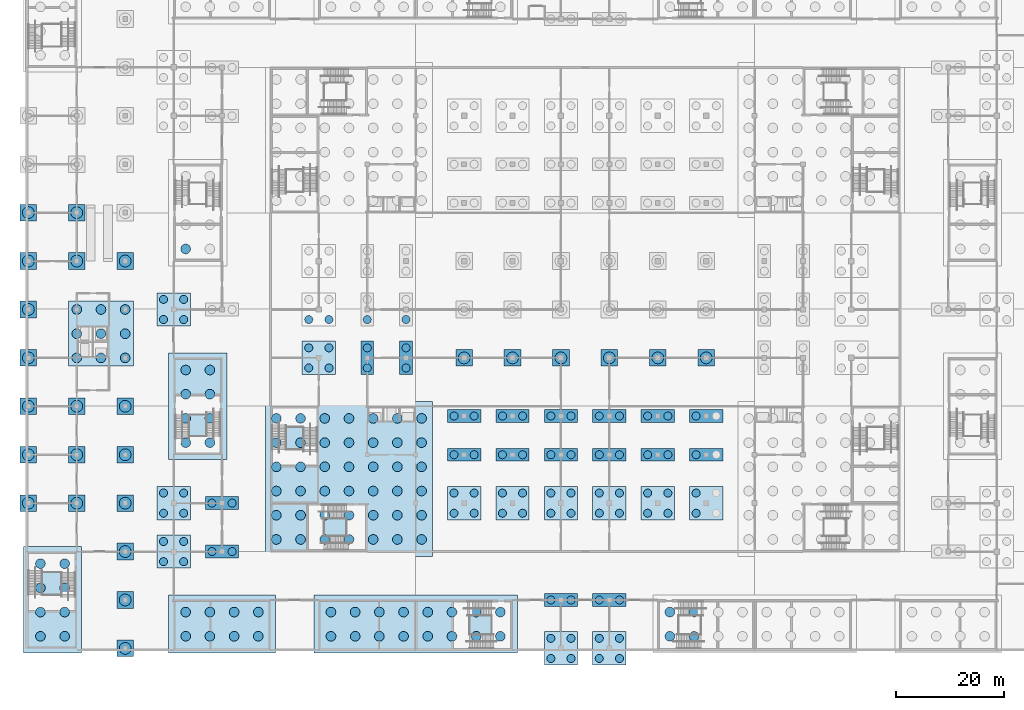
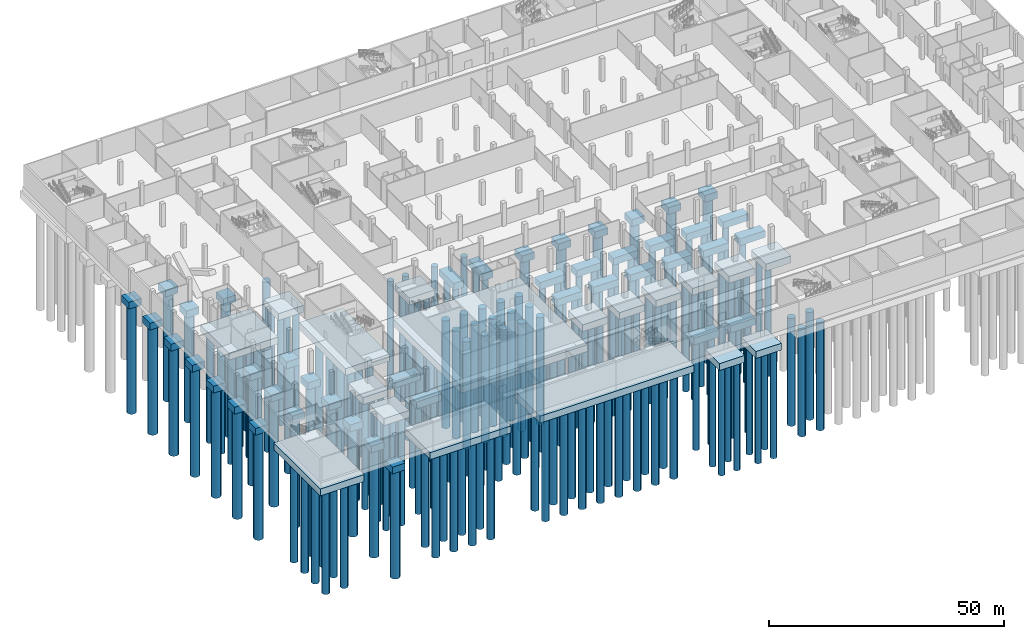
# One storey, part 1 of 42: 205 piles, 61 footings.
"""IFC4 building model written with IfcOpenShell, lengths in metres."""

from ifc_helpers import new_model, si_unit, direction, frame, origin, origin_2d, place, context, subcontext, project, spatial, rectangle, circle, extrude, material, material_profile, profile_set, type_object, element, save


model = new_model("IFC4")

# Units and contexts
model_context = context("Model", 3, precision=1e-05, world=origin(), true_north=direction((0.0, 1.0)))
body_context = subcontext(model_context, "Body", "Model", "MODEL_VIEW")
ifc_project = project(units=[si_unit("LENGTHUNIT", "METRE"), si_unit("AREAUNIT", "SQUARE_METRE"), si_unit("VOLUMEUNIT", "CUBIC_METRE"), si_unit("PLANEANGLEUNIT", "RADIAN"), si_unit("MASSUNIT", "GRAM", prefix="KILO")], contexts=[model_context])

# Site, building, storey
site_placement = place(None, origin())
site = spatial("IfcSite", under=ifc_project, at=site_placement, CompositionType="ELEMENT")
building_placement = place(site_placement, origin())
building = spatial("IfcBuilding", under=site, at=building_placement, Name="Silverbay Arena", CompositionType="ELEMENT")
storey_placement = place(building_placement, frame((0.0, 0.0, -6.0)))
storey = spatial("IfcBuildingStorey", under=building, at=storey_placement, Name="B1", CompositionType="ELEMENT", Elevation=-6.0)

# Piles
ifc_material_1 = material(Name="Concrete Grade C45", Category="concrete")
ifc_material_profile_1 = material_profile(ifc_material_1, circle(Radius=0.75, at=origin_2d()), Name="Bored pile 1500")
ifc_profile_set_1 = profile_set([ifc_material_profile_1], Name="Concrete Grade C45")
pile_type_1 = type_object("IfcPileType", Name="Bored pile 1500", PredefinedType="BORED", material=ifc_profile_set_1)
for number, where, z_axis, x_axis, name in (
    (1, (124.125, 16.125, -3.0), (0.0, 0.0, -1.0), (1.0, 0.0, 0.0), "Bored pile 124.125/16.125"),
    (2, (124.125, 19.875, -3.0), (0.0, 0.0, -1.0), (1.0, 0.0, 0.0), "Bored pile 124.125/19.875"),
    (3, (127.875, 16.125, -3.0), (0.0, 0.0, -1.0), (1.0, 0.0, 0.0), "Bored pile 127.875/16.125"),
    (4, (127.875, 19.875, -3.0), (0.0, 0.0, -1.0), (1.0, 0.0, 0.0), "Bored pile 127.875/19.875"),
    (5, (133.125, 16.125, -3.0), (0.0, 0.0, -1.0), (1.0, 0.0, 0.0), "Bored pile 133.125/16.125"),
    (6, (133.125, 19.875, -3.0), (0.0, 0.0, -1.0), (1.0, 0.0, 0.0), "Bored pile 133.125/19.875"),
    (7, (136.875, 16.125, -3.0), (0.0, 0.0, -1.0), (1.0, 0.0, 0.0), "Bored pile 136.875/16.125"),
    (8, (136.875, 19.875, -3.0), (0.0, 0.0, -1.0), (1.0, 0.0, 0.0), "Bored pile 136.875/19.875"),
    (9, (124.125, 27.0, -3.0), (0.0, 0.0, -1.0), (1.0, 0.0, 0.0), "Bored pile 124.125/27"),
    (10, (127.875, 27.0, -3.0), (0.0, 0.0, -1.0), (1.0, 0.0, 0.0), "Bored pile 127.875/27"),
    (11, (133.125, 27.0, -3.0), (0.0, 0.0, -1.0), (1.0, 0.0, 0.0), "Bored pile 133.125/27"),
    (12, (136.875, 27.0, -3.0), (0.0, 0.0, -1.0), (1.0, 0.0, 0.0), "Bored pile 136.875/27"),
    (13, (52.125, 34.125, -3.0), (0.0, 0.0, -1.0), (1.0, 0.0, 0.0), "Bored pile 52.125/34.125"),
    (14, (52.125, 37.875, -3.0), (0.0, 0.0, -1.0), (1.0, 0.0, 0.0), "Bored pile 52.125/37.875"),
    (15, (55.875, 34.125, -3.0), (0.0, 0.0, -1.0), (1.0, 0.0, 0.0), "Bored pile 55.875/34.125"),
    (16, (55.875, 37.875, -3.0), (0.0, 0.0, -1.0), (1.0, 0.0, 0.0), "Bored pile 55.875/37.875"),
    (17, (61.125, 36.0, -3.0), (0.0, 0.0, -1.0), (1.0, 0.0, 0.0), "Bored pile 61.125/36"),
    (18, (64.875, 36.0, -3.0), (0.0, 0.0, -1.0), (1.0, 0.0, 0.0), "Bored pile 64.875/36"),
    (19, (52.125, 43.125, -3.0), (0.0, 0.0, -1.0), (1.0, 0.0, 0.0), "Bored pile 52.125/43.125"),
    (20, (52.125, 46.875, -3.0), (0.0, 0.0, -1.0), (1.0, 0.0, 0.0), "Bored pile 52.125/46.875"),
    (21, (55.875, 43.125, -3.0), (0.0, 0.0, -1.0), (1.0, 0.0, 0.0), "Bored pile 55.875/43.125"),
    (22, (55.875, 46.875, -3.0), (0.0, 0.0, -1.0), (1.0, 0.0, 0.0), "Bored pile 55.875/46.875"),
    (23, (106.125, 43.125, -3.0), (0.0, 0.0, -1.0), (1.0, 0.0, 0.0), "Bored pile 106.125/43.125"),
    (24, (106.125, 46.875, -3.0), (0.0, 0.0, -1.0), (1.0, 0.0, 0.0), "Bored pile 106.125/46.875"),
    (25, (109.875, 43.125, -3.0), (0.0, 0.0, -1.0), (1.0, 0.0, 0.0), "Bored pile 109.875/43.125"),
    (26, (109.875, 46.875, -3.0), (0.0, 0.0, -1.0), (1.0, 0.0, 0.0), "Bored pile 109.875/46.875"),
    (27, (115.125, 43.125, -3.0), (0.0, 0.0, -1.0), (1.0, 0.0, 0.0), "Bored pile 115.125/43.125"),
    (28, (115.125, 46.875, -3.0), (0.0, 0.0, -1.0), (1.0, 0.0, 0.0), "Bored pile 115.125/46.875"),
    (29, (118.875, 43.125, -3.0), (0.0, 0.0, -1.0), (1.0, 0.0, 0.0), "Bored pile 118.875/43.125"),
    (30, (118.875, 46.875, -3.0), (0.0, 0.0, -1.0), (1.0, 0.0, 0.0), "Bored pile 118.875/46.875"),
    (31, (124.125, 43.125, -3.0), (0.0, 0.0, -1.0), (1.0, 0.0, 0.0), "Bored pile 124.125/43.125"),
    (32, (124.125, 46.875, -3.0), (0.0, 0.0, -1.0), (1.0, 0.0, 0.0), "Bored pile 124.125/46.875"),
    (33, (127.875, 43.125, -3.0), (0.0, 0.0, -1.0), (1.0, 0.0, 0.0), "Bored pile 127.875/43.125"),
    (34, (127.875, 46.875, -3.0), (0.0, 0.0, -1.0), (1.0, 0.0, 0.0), "Bored pile 127.875/46.875"),
    (35, (133.125, 43.125, -3.0), (0.0, 0.0, -1.0), (1.0, 0.0, 0.0), "Bored pile 133.125/43.125"),
    (36, (133.125, 46.875, -3.0), (0.0, 0.0, -1.0), (1.0, 0.0, 0.0), "Bored pile 133.125/46.875"),
    (37, (136.875, 43.125, -3.0), (0.0, 0.0, -1.0), (1.0, 0.0, 0.0), "Bored pile 136.875/43.125"),
    (38, (136.875, 46.875, -3.0), (0.0, 0.0, -1.0), (1.0, 0.0, 0.0), "Bored pile 136.875/46.875"),
    (39, (142.125, 43.125, -3.0), (0.0, 0.0, -1.0), (1.0, 0.0, 0.0), "Bored pile 142.125/43.125"),
    (40, (142.125, 46.875, -3.0), (0.0, 0.0, -1.0), (1.0, 0.0, 0.0), "Bored pile 142.125/46.875"),
    (41, (145.875, 43.125, -3.0), (0.0, 0.0, -1.0), (1.0, 0.0, 0.0), "Bored pile 145.875/43.125"),
    (42, (145.875, 46.875, -3.0), (0.0, 0.0, -1.0), (1.0, 0.0, 0.0), "Bored pile 145.875/46.875"),
    (43, (151.125, 43.125, -3.0), (0.0, 0.0, -1.0), (1.0, 0.0, 0.0), "Bored pile 151.125/43.125"),
    (44, (151.125, 46.875, -3.0), (0.0, 0.0, -1.0), (1.0, 0.0, 0.0), "Bored pile 151.125/46.875"),
    (45, (61.125, 45.0, -3.0), (0.0, 0.0, -1.0), (1.0, 0.0, 0.0), "Bored pile 61.125/45"),
    (46, (64.875, 45.0, -3.0), (0.0, 0.0, -1.0), (1.0, 0.0, 0.0), "Bored pile 64.875/45"),
    (47, (106.125, 54.0, -3.0), (0.0, 0.0, -1.0), (1.0, 0.0, 0.0), "Bored pile 106.125/54"),
    (48, (109.875, 54.0, -3.0), (0.0, 0.0, -1.0), (1.0, 0.0, 0.0), "Bored pile 109.875/54"),
    (49, (115.125, 54.0, -3.0), (0.0, 0.0, -1.0), (1.0, 0.0, 0.0), "Bored pile 115.125/54"),
    (50, (118.875, 54.0, -3.0), (0.0, 0.0, -1.0), (1.0, 0.0, 0.0), "Bored pile 118.875/54"),
    (51, (124.125, 54.0, -3.0), (0.0, 0.0, -1.0), (1.0, 0.0, 0.0), "Bored pile 124.125/54"),
    (52, (127.875, 54.0, -3.0), (0.0, 0.0, -1.0), (1.0, 0.0, 0.0), "Bored pile 127.875/54"),
    (53, (133.125, 54.0, -3.0), (0.0, 0.0, -1.0), (1.0, 0.0, 0.0), "Bored pile 133.125/54"),
    (54, (136.875, 54.0, -3.0), (0.0, 0.0, -1.0), (1.0, 0.0, 0.0), "Bored pile 136.875/54"),
    (55, (142.125, 54.0, -3.0), (0.0, 0.0, -1.0), (1.0, 0.0, 0.0), "Bored pile 142.125/54"),
    (56, (145.875, 54.0, -3.0), (0.0, 0.0, -1.0), (1.0, 0.0, 0.0), "Bored pile 145.875/54"),
    (57, (151.125, 54.0, -3.0), (0.0, 0.0, -1.0), (1.0, 0.0, 0.0), "Bored pile 151.125/54"),
    (58, (106.125, 61.199951171875, -3.0), (0.0, 0.0, -1.0), (1.0, 0.0, 0.0), "Bored pile 106.125/61.2"),
    (59, (109.875, 61.199951171875, -3.0), (0.0, 0.0, -1.0), (1.0, 0.0, 0.0), "Bored pile 109.875/61.2"),
    (60, (115.125, 61.199951171875, -3.0), (0.0, 0.0, -1.0), (1.0, 0.0, 0.0), "Bored pile 115.125/61.2"),
    (61, (118.875, 61.199951171875, -3.0), (0.0, 0.0, -1.0), (1.0, 0.0, 0.0), "Bored pile 118.875/61.2"),
    (62, (124.125, 61.199951171875, -3.0), (0.0, 0.0, -1.0), (1.0, 0.0, 0.0), "Bored pile 124.125/61.2"),
    (63, (127.875, 61.199951171875, -3.0), (0.0, 0.0, -1.0), (1.0, 0.0, 0.0), "Bored pile 127.875/61.2"),
    (64, (133.125, 61.199951171875, -3.0), (0.0, 0.0, -1.0), (1.0, 0.0, 0.0), "Bored pile 133.125/61.2"),
    (65, (136.875, 61.199951171875, -3.0), (0.0, 0.0, -1.0), (1.0, 0.0, 0.0), "Bored pile 136.875/61.2"),
    (66, (142.125, 61.199951171875, -3.0), (0.0, 0.0, -1.0), (1.0, 0.0, 0.0), "Bored pile 142.125/61.2"),
    (67, (145.875, 61.199951171875, -3.0), (0.0, 0.0, -1.0), (1.0, 0.0, 0.0), "Bored pile 145.875/61.2"),
    (68, (151.125, 61.199951171875, -3.0), (0.0, 0.0, -1.0), (1.0, 0.0, 0.0), "Bored pile 151.125/61.2"),
    (69, (79.125, 70.125, -3.0), (0.0, 0.0, -1.0), (1.0, 0.0, 0.0), "Bored pile 79.125/70.125"),
    (70, (79.125, 73.875, -3.0), (0.0, 0.0, -1.0), (1.0, 0.0, 0.0), "Bored pile 79.125/73.875"),
    (71, (82.875, 70.125, -3.0), (0.0, 0.0, -1.0), (1.0, 0.0, 0.0), "Bored pile 82.875/70.125"),
    (72, (82.875, 73.875, -3.0), (0.0, 0.0, -1.0), (1.0, 0.0, 0.0), "Bored pile 82.875/73.875"),
    (73, (90.0, 70.125, -3.0), (0.0, 0.0, -1.0), (1.0, 0.0, 0.0), "Bored pile 90/70.125"),
    (74, (90.0, 73.875, -3.0), (0.0, 0.0, -1.0), (1.0, 0.0, 0.0), "Bored pile 90/73.875"),
    (75, (97.199951171875, 70.125, -3.0), (0.0, 0.0, -1.0), (1.0, 0.0, 0.0), "Bored pile 97.2/70.125"),
    (76, (97.199951171875, 73.875, -3.0), (0.0, 0.0, -1.0), (1.0, 0.0, 0.0), "Bored pile 97.2/73.875"),
    (77, (52.125, 79.125, -3.0), (0.0, 0.0, -1.0), (1.0, 0.0, 0.0), "Bored pile 52.125/79.125"),
    (78, (52.125, 82.875, -3.0), (0.0, 0.0, -1.0), (1.0, 0.0, 0.0), "Bored pile 52.125/82.875"),
    (79, (55.875, 79.125, -3.0), (0.0, 0.0, -1.0), (1.0, 0.0, 0.0), "Bored pile 55.875/79.125"),
    (80, (55.875, 82.875, -3.0), (0.0, 0.0, -1.0), (1.0, 0.0, 0.0), "Bored pile 55.875/82.875"),
    (81, (79.125, 79.125, -3.0), (0.0, 0.0, -1.0), (1.0, 0.0, 0.0), "Bored pile 79.125/79.125"),
    (82, (82.875, 79.125, -3.0), (0.0, 0.0, -1.0), (1.0, 0.0, 0.0), "Bored pile 82.875/79.125"),
    (83, (90.0, 79.125, -3.0), (0.0, 0.0, -1.0), (1.0, 0.0, 0.0), "Bored pile 90/79.125"),
    (84, (97.199951171875, 79.125, -3.0), (0.0, 0.0, -1.0), (1.0, 0.0, 0.0), "Bored pile 97.2/79.125"),
):
    element("IfcPile", number, at=place(storey_placement, frame(where, z_axis=z_axis, x_axis=x_axis)), inside=storey, type_object=pile_type_1, Name=name, PredefinedType="BORED", context=body_context, shape_type="SweptSolid", body=[
        extrude(circle(Radius=0.75, at=origin_2d()), origin(), (0.0, 0.0, 1.0), 28.0),
    ])
ifc_material_2 = material(Name="Concrete Grade C45", Category="concrete")
ifc_material_profile_2 = material_profile(ifc_material_2, circle(Radius=0.89990234375, at=origin_2d()), Name="Bored pile 1800")
ifc_profile_set_2 = profile_set([ifc_material_profile_2], Name="Concrete Grade C45")
pile_type_2 = type_object("IfcPileType", Name="Bored pile 1800", PredefinedType="BORED", material=ifc_profile_set_2)
for number, where, z_axis, x_axis, name in (
    (85, (29.25, 20.25, -3.0), (0.0, 0.0, -1.0), (1.0, 0.0, 0.0), "Bored pile 29.25/20.25"),
    (86, (29.25, 24.75, -3.0), (0.0, 0.0, -1.0), (1.0, 0.0, 0.0), "Bored pile 29.25/24.75"),
    (87, (29.25, 29.25, -3.0), (0.0, 0.0, -1.0), (1.0, 0.0, 0.0), "Bored pile 29.25/29.25"),
    (88, (29.25, 33.75, -3.0), (0.0, 0.0, -1.0), (1.0, 0.0, 0.0), "Bored pile 29.25/33.75"),
    (89, (33.75, 20.25, -3.0), (0.0, 0.0, -1.0), (1.0, 0.0, 0.0), "Bored pile 33.75/20.25"),
    (90, (33.75, 24.75, -3.0), (0.0, 0.0, -1.0), (1.0, 0.0, 0.0), "Bored pile 33.75/24.75"),
    (91, (33.75, 29.25, -3.0), (0.0, 0.0, -1.0), (1.0, 0.0, 0.0), "Bored pile 33.75/29.25"),
    (92, (33.75, 33.75, -3.0), (0.0, 0.0, -1.0), (1.0, 0.0, 0.0), "Bored pile 33.75/33.75"),
    (93, (56.25, 20.25, -3.0), (0.0, 0.0, -1.0), (1.0, 0.0, 0.0), "Bored pile 56.25/20.25"),
    (94, (56.25, 24.75, -3.0), (0.0, 0.0, -1.0), (1.0, 0.0, 0.0), "Bored pile 56.25/24.75"),
    (95, (60.75, 20.25, -3.0), (0.0, 0.0, -1.0), (1.0, 0.0, 0.0), "Bored pile 60.75/20.25"),
    (96, (60.75, 24.75, -3.0), (0.0, 0.0, -1.0), (1.0, 0.0, 0.0), "Bored pile 60.75/24.75"),
    (97, (65.25, 20.25, -3.0), (0.0, 0.0, -1.0), (1.0, 0.0, 0.0), "Bored pile 65.25/20.25"),
    (98, (65.25, 24.75, -3.0), (0.0, 0.0, -1.0), (1.0, 0.0, 0.0), "Bored pile 65.25/24.75"),
    (99, (69.75, 20.25, -3.0), (0.0, 0.0, -1.0), (1.0, 0.0, 0.0), "Bored pile 69.75/20.25"),
    (100, (69.75, 24.75, -3.0), (0.0, 0.0, -1.0), (1.0, 0.0, 0.0), "Bored pile 69.75/24.75"),
    (101, (83.25, 20.25, -3.0), (0.0, 0.0, -1.0), (1.0, 0.0, 0.0), "Bored pile 83.25/20.25"),
    (102, (83.25, 24.75, -3.0), (0.0, 0.0, -1.0), (1.0, 0.0, 0.0), "Bored pile 83.25/24.75"),
    (103, (87.75, 20.25, -3.0), (0.0, 0.0, -1.0), (1.0, 0.0, 0.0), "Bored pile 87.75/20.25"),
    (104, (87.75, 24.75, -3.0), (0.0, 0.0, -1.0), (1.0, 0.0, 0.0), "Bored pile 87.75/24.75"),
    (105, (92.25, 20.25, -3.0), (0.0, 0.0, -1.0), (1.0, 0.0, 0.0), "Bored pile 92.25/20.25"),
    (106, (92.25, 24.75, -3.0), (0.0, 0.0, -1.0), (1.0, 0.0, 0.0), "Bored pile 92.25/24.75"),
    (107, (96.75, 20.25, -3.0), (0.0, 0.0, -1.0), (1.0, 0.0, 0.0), "Bored pile 96.75/20.25"),
    (108, (96.75, 24.75, -3.0), (0.0, 0.0, -1.0), (1.0, 0.0, 0.0), "Bored pile 96.75/24.75"),
    (109, (101.25, 20.25, -3.0), (0.0, 0.0, -1.0), (1.0, 0.0, 0.0), "Bored pile 101.25/20.25"),
    (110, (101.25, 24.75, -3.0), (0.0, 0.0, -1.0), (1.0, 0.0, 0.0), "Bored pile 101.25/24.75"),
    (111, (105.75, 20.25, -3.0), (0.0, 0.0, -1.0), (1.0, 0.0, 0.0), "Bored pile 105.75/20.25"),
    (112, (105.75, 24.75, -3.0), (0.0, 0.0, -1.0), (1.0, 0.0, 0.0), "Bored pile 105.75/24.75"),
    (113, (110.25, 20.25, -3.0), (0.0, 0.0, -1.0), (1.0, 0.0, 0.0), "Bored pile 110.25/20.25"),
    (114, (110.25, 24.75, -3.0), (0.0, 0.0, -1.0), (1.0, 0.0, 0.0), "Bored pile 110.25/24.75"),
    (115, (114.75, 20.25, -3.0), (0.0, 0.0, -1.0), (1.0, 0.0, 0.0), "Bored pile 114.75/20.25"),
    (116, (114.75, 24.75, -3.0), (0.0, 0.0, -1.0), (1.0, 0.0, 0.0), "Bored pile 114.75/24.75"),
    (117, (146.25, 20.25, -3.0), (0.0, 0.0, -1.0), (1.0, 0.0, 0.0), "Bored pile 146.25/20.25"),
    (118, (146.25, 24.75, -3.0), (0.0, 0.0, -1.0), (1.0, 0.0, 0.0), "Bored pile 146.25/24.75"),
    (119, (150.75, 20.25, -3.0), (0.0, 0.0, -1.0), (1.0, 0.0, 0.0), "Bored pile 150.75/20.25"),
    (120, (150.75, 24.75, -3.0), (0.0, 0.0, -1.0), (1.0, 0.0, 0.0), "Bored pile 150.75/24.75"),
    (121, (73.10009765625, 38.25, -3.0), (0.0, 0.0, -1.0), (1.0, 0.0, 0.0), "Bored pile 73.1/38.25"),
    (122, (73.10009765625, 42.75, -3.0), (0.0, 0.0, -1.0), (1.0, 0.0, 0.0), "Bored pile 73.1/42.75"),
    (123, (73.10009765625, 47.25, -3.0), (0.0, 0.0, -1.0), (1.0, 0.0, 0.0), "Bored pile 73.1/47.25"),
    (124, (73.10009765625, 51.75, -3.0), (0.0, 0.0, -1.0), (1.0, 0.0, 0.0), "Bored pile 73.1/51.75"),
    (125, (73.10009765625, 56.25, -3.0), (0.0, 0.0, -1.0), (1.0, 0.0, 0.0), "Bored pile 73.1/56.25"),
    (126, (73.10009765625, 60.75, -3.0), (0.0, 0.0, -1.0), (1.0, 0.0, 0.0), "Bored pile 73.1/60.75"),
    (127, (77.60009765625, 38.25, -3.0), (0.0, 0.0, -1.0), (1.0, 0.0, 0.0), "Bored pile 77.6/38.25"),
    (128, (77.60009765625, 42.75, -3.0), (0.0, 0.0, -1.0), (1.0, 0.0, 0.0), "Bored pile 77.6/42.75"),
    (129, (77.60009765625, 47.25, -3.0), (0.0, 0.0, -1.0), (1.0, 0.0, 0.0), "Bored pile 77.6/47.25"),
    (130, (77.60009765625, 51.75, -3.0), (0.0, 0.0, -1.0), (1.0, 0.0, 0.0), "Bored pile 77.6/51.75"),
    (131, (77.60009765625, 56.25, -3.0), (0.0, 0.0, -1.0), (1.0, 0.0, 0.0), "Bored pile 77.6/56.25"),
    (132, (77.60009765625, 60.75, -3.0), (0.0, 0.0, -1.0), (1.0, 0.0, 0.0), "Bored pile 77.6/60.75"),
    (133, (82.10009765625, 38.25, -3.0), (0.0, 0.0, -1.0), (1.0, 0.0, 0.0), "Bored pile 82.1/38.25"),
    (134, (82.10009765625, 42.75, -3.0), (0.0, 0.0, -1.0), (1.0, 0.0, 0.0), "Bored pile 82.1/42.75"),
    (135, (82.10009765625, 47.25, -3.0), (0.0, 0.0, -1.0), (1.0, 0.0, 0.0), "Bored pile 82.1/47.25"),
    (136, (82.10009765625, 51.75, -3.0), (0.0, 0.0, -1.0), (1.0, 0.0, 0.0), "Bored pile 82.1/51.75"),
    (137, (82.10009765625, 56.25, -3.0), (0.0, 0.0, -1.0), (1.0, 0.0, 0.0), "Bored pile 82.1/56.25"),
    (138, (82.10009765625, 60.75, -3.0), (0.0, 0.0, -1.0), (1.0, 0.0, 0.0), "Bored pile 82.1/60.75"),
    (139, (86.60009765625, 38.25, -3.0), (0.0, 0.0, -1.0), (1.0, 0.0, 0.0), "Bored pile 86.6/38.25"),
    (140, (86.60009765625, 42.75, -3.0), (0.0, 0.0, -1.0), (1.0, 0.0, 0.0), "Bored pile 86.6/42.75"),
    (141, (86.60009765625, 47.25, -3.0), (0.0, 0.0, -1.0), (1.0, 0.0, 0.0), "Bored pile 86.6/47.25"),
    (142, (86.60009765625, 51.75, -3.0), (0.0, 0.0, -1.0), (1.0, 0.0, 0.0), "Bored pile 86.6/51.75"),
    (143, (86.60009765625, 56.25, -3.0), (0.0, 0.0, -1.0), (1.0, 0.0, 0.0), "Bored pile 86.6/56.25"),
    (144, (86.60009765625, 60.75, -3.0), (0.0, 0.0, -1.0), (1.0, 0.0, 0.0), "Bored pile 86.6/60.75"),
    (145, (91.10009765625, 38.25, -3.0), (0.0, 0.0, -1.0), (1.0, 0.0, 0.0), "Bored pile 91.1/38.25"),
    (146, (91.10009765625, 42.75, -3.0), (0.0, 0.0, -1.0), (1.0, 0.0, 0.0), "Bored pile 91.1/42.75"),
    (147, (91.10009765625, 47.25, -3.0), (0.0, 0.0, -1.0), (1.0, 0.0, 0.0), "Bored pile 91.1/47.25"),
    (148, (91.10009765625, 51.75, -3.0), (0.0, 0.0, -1.0), (1.0, 0.0, 0.0), "Bored pile 91.1/51.75"),
    (149, (91.10009765625, 56.25, -3.0), (0.0, 0.0, -1.0), (1.0, 0.0, 0.0), "Bored pile 91.1/56.25"),
    (150, (91.10009765625, 60.75, -3.0), (0.0, 0.0, -1.0), (1.0, 0.0, 0.0), "Bored pile 91.1/60.75"),
    (151, (95.60009765625, 38.25, -3.0), (0.0, 0.0, -1.0), (1.0, 0.0, 0.0), "Bored pile 95.6/38.25"),
    (152, (95.60009765625, 42.75, -3.0), (0.0, 0.0, -1.0), (1.0, 0.0, 0.0), "Bored pile 95.6/42.75"),
    (153, (95.60009765625, 47.25, -3.0), (0.0, 0.0, -1.0), (1.0, 0.0, 0.0), "Bored pile 95.6/47.25"),
    (154, (95.60009765625, 51.75, -3.0), (0.0, 0.0, -1.0), (1.0, 0.0, 0.0), "Bored pile 95.6/51.75"),
    (155, (95.60009765625, 56.25, -3.0), (0.0, 0.0, -1.0), (1.0, 0.0, 0.0), "Bored pile 95.6/56.25"),
    (156, (95.60009765625, 60.75, -3.0), (0.0, 0.0, -1.0), (1.0, 0.0, 0.0), "Bored pile 95.6/60.75"),
    (157, (100.10009765625, 38.25, -3.0), (0.0, 0.0, -1.0), (1.0, 0.0, 0.0), "Bored pile 100.1/38.25"),
    (158, (100.10009765625, 42.75, -3.0), (0.0, 0.0, -1.0), (1.0, 0.0, 0.0), "Bored pile 100.1/42.75"),
    (159, (100.10009765625, 47.25, -3.0), (0.0, 0.0, -1.0), (1.0, 0.0, 0.0), "Bored pile 100.1/47.25"),
    (160, (100.10009765625, 51.75, -3.0), (0.0, 0.0, -1.0), (1.0, 0.0, 0.0), "Bored pile 100.1/51.75"),
    (161, (100.10009765625, 56.25, -3.0), (0.0, 0.0, -1.0), (1.0, 0.0, 0.0), "Bored pile 100.1/56.25"),
    (162, (100.10009765625, 60.75, -3.0), (0.0, 0.0, -1.0), (1.0, 0.0, 0.0), "Bored pile 100.1/60.75"),
    (163, (56.25, 56.25, -3.0), (0.0, 0.0, -1.0), (1.0, 0.0, 0.0), "Bored pile 56.25/56.25"),
    (164, (56.25, 60.75, -3.0), (0.0, 0.0, -1.0), (1.0, 0.0, 0.0), "Bored pile 56.25/60.75"),
    (165, (56.25, 65.25, -3.0), (0.0, 0.0, -1.0), (1.0, 0.0, 0.0), "Bored pile 56.25/65.25"),
    (166, (56.25, 69.75, -3.0), (0.0, 0.0, -1.0), (1.0, 0.0, 0.0), "Bored pile 56.25/69.75"),
    (167, (60.75, 56.25, -3.0), (0.0, 0.0, -1.0), (1.0, 0.0, 0.0), "Bored pile 60.75/56.25"),
    (168, (60.75, 60.75, -3.0), (0.0, 0.0, -1.0), (1.0, 0.0, 0.0), "Bored pile 60.75/60.75"),
    (169, (60.75, 65.25, -3.0), (0.0, 0.0, -1.0), (1.0, 0.0, 0.0), "Bored pile 60.75/65.25"),
    (170, (60.75, 69.75, -3.0), (0.0, 0.0, -1.0), (1.0, 0.0, 0.0), "Bored pile 60.75/69.75"),
    (171, (36.0, 72.0, -3.0), (0.0, 0.0, -1.0), (1.0, 0.0, 0.0), "Bored pile 36/72"),
    (172, (36.0, 76.5, -3.0), (0.0, 0.0, -1.0), (1.0, 0.0, 0.0), "Bored pile 36/76.5"),
    (173, (36.0, 81.0, -3.0), (0.0, 0.0, -1.0), (1.0, 0.0, 0.0), "Bored pile 36/81"),
    (174, (40.5, 72.0, -3.0), (0.0, 0.0, -1.0), (1.0, 0.0, 0.0), "Bored pile 40.5/72"),
    (175, (40.5, 76.5, -3.0), (0.0, 0.0, -1.0), (1.0, 0.0, 0.0), "Bored pile 40.5/76.5"),
    (176, (40.5, 81.0, -3.0), (0.0, 0.0, -1.0), (1.0, 0.0, 0.0), "Bored pile 40.5/81"),
    (177, (45.0, 72.0, -3.0), (0.0, 0.0, -1.0), (1.0, 0.0, 0.0), "Bored pile 45/72"),
    (178, (45.0, 76.5, -3.0), (0.0, 0.0, -1.0), (1.0, 0.0, 0.0), "Bored pile 45/76.5"),
    (179, (45.0, 81.0, -3.0), (0.0, 0.0, -1.0), (1.0, 0.0, 0.0), "Bored pile 45/81"),
    (180, (56.25, 92.25, -3.0), (0.0, 0.0, -1.0), (1.0, 0.0, 0.0), "Bored pile 56.25/92.25"),
):
    element("IfcPile", number, at=place(storey_placement, frame(where, z_axis=z_axis, x_axis=x_axis)), inside=storey, type_object=pile_type_2, Name=name, PredefinedType="BORED", context=body_context, shape_type="SweptSolid", body=[
        extrude(circle(Radius=0.89990234375, at=origin_2d()), origin(), (0.0, 0.0, 1.0), 28.0),
    ])
ifc_material_3 = material(Name="Concrete Grade C45", Category="concrete")
ifc_material_profile_3 = material_profile(ifc_material_3, circle(Radius=1.10009765625, at=origin_2d()), Name="Bored pile 2200")
ifc_profile_set_3 = profile_set([ifc_material_profile_3], Name="Concrete Grade C45")
pile_type_3 = type_object("IfcPileType", Name="Bored pile 2200", PredefinedType="BORED", material=ifc_profile_set_3)
for number, where, z_axis, x_axis, name in (
    (181, (45.0, 18.0, -3.0), (0.0, 0.0, -1.0), (1.0, 0.0, 0.0), "Bored pile 45/18"),
    (182, (45.0, 27.0, -3.0), (0.0, 0.0, -1.0), (1.0, 0.0, 0.0), "Bored pile 45/27"),
    (183, (45.0, 36.0, -3.0), (0.0, 0.0, -1.0), (1.0, 0.0, 0.0), "Bored pile 45/36"),
    (184, (27.0, 45.0, -3.0), (0.0, 0.0, -1.0), (1.0, 0.0, 0.0), "Bored pile 27/45"),
    (185, (36.0, 45.0, -3.0), (0.0, 0.0, -1.0), (1.0, 0.0, 0.0), "Bored pile 36/45"),
    (186, (45.0, 45.0, -3.0), (0.0, 0.0, -1.0), (1.0, 0.0, 0.0), "Bored pile 45/45"),
    (187, (27.0, 54.0, -3.0), (0.0, 0.0, -1.0), (1.0, 0.0, 0.0), "Bored pile 27/54"),
    (188, (36.0, 54.0, -3.0), (0.0, 0.0, -1.0), (1.0, 0.0, 0.0), "Bored pile 36/54"),
    (189, (45.0, 54.0, -3.0), (0.0, 0.0, -1.0), (1.0, 0.0, 0.0), "Bored pile 45/54"),
    (190, (27.0, 63.0, -3.0), (0.0, 0.0, -1.0), (1.0, 0.0, 0.0), "Bored pile 27/63"),
    (191, (36.0, 63.0, -3.0), (0.0, 0.0, -1.0), (1.0, 0.0, 0.0), "Bored pile 36/63"),
    (192, (45.0, 63.0, -3.0), (0.0, 0.0, -1.0), (1.0, 0.0, 0.0), "Bored pile 45/63"),
    (193, (27.0, 72.0, -3.0), (0.0, 0.0, -1.0), (1.0, 0.0, 0.0), "Bored pile 27/72"),
    (194, (108.0, 72.0, -3.0), (0.0, 0.0, -1.0), (1.0, 0.0, 0.0), "Bored pile 108/72"),
    (195, (117.0, 72.0, -3.0), (0.0, 0.0, -1.0), (1.0, 0.0, 0.0), "Bored pile 117/72"),
    (196, (126.0, 72.0, -3.0), (0.0, 0.0, -1.0), (1.0, 0.0, 0.0), "Bored pile 126/72"),
    (197, (135.0, 72.0, -3.0), (0.0, 0.0, -1.0), (1.0, 0.0, 0.0), "Bored pile 135/72"),
    (198, (144.0, 72.0, -3.0), (0.0, 0.0, -1.0), (1.0, 0.0, 0.0), "Bored pile 144/72"),
    (199, (153.0, 72.0, -3.0), (0.0, 0.0, -1.0), (1.0, 0.0, 0.0), "Bored pile 153/72"),
    (200, (27.0, 81.0, -3.0), (0.0, 0.0, -1.0), (1.0, 0.0, 0.0), "Bored pile 27/81"),
    (201, (27.0, 90.0, -3.0), (0.0, 0.0, -1.0), (1.0, 0.0, 0.0), "Bored pile 27/90"),
    (202, (36.0, 90.0, -3.0), (0.0, 0.0, -1.0), (1.0, 0.0, 0.0), "Bored pile 36/90"),
    (203, (45.0, 90.0, -3.0), (0.0, 0.0, -1.0), (1.0, 0.0, 0.0), "Bored pile 45/90"),
    (204, (27.0, 99.0, -3.0), (0.0, 0.0, -1.0), (1.0, 0.0, 0.0), "Bored pile 27/99"),
    (205, (36.0, 99.0, -3.0), (0.0, 0.0, -1.0), (1.0, 0.0, 0.0), "Bored pile 36/99"),
):
    element("IfcPile", number, at=place(storey_placement, frame(where, z_axis=z_axis, x_axis=x_axis)), inside=storey, type_object=pile_type_3, Name=name, PredefinedType="BORED", context=body_context, shape_type="SweptSolid", body=[
        extrude(circle(Radius=1.10009765625, at=origin_2d()), origin(), (0.0, 0.0, 1.0), 28.0),
    ])

# Footings
ifc_material_4 = material(Name="Concrete Grade C45", Category="concrete")
footing_type_1 = type_object("IfcFootingType", Name="Pile cap 1 piles 3100x3100x1800", PredefinedType="PILE_CAP", material=ifc_material_4)
for number, where, z_axis, x_axis, name in (
    (206, (45.0, 18.0, -3.0), (0.0, 0.0, 1.0), (1.0, 0.0, 0.0), "Pile cap 45/18"),
    (207, (45.0, 27.0, -3.0), (0.0, 0.0, 1.0), (1.0, 0.0, 0.0), "Pile cap 45/27"),
    (208, (45.0, 36.0, -3.0), (0.0, 0.0, 1.0), (1.0, 0.0, 0.0), "Pile cap 45/36"),
    (209, (27.0, 45.0, -3.0), (0.0, 0.0, 1.0), (1.0, 0.0, 0.0), "Pile cap 27/45"),
    (210, (36.0, 45.0, -3.0), (0.0, 0.0, 1.0), (1.0, 0.0, 0.0), "Pile cap 36/45"),
    (211, (45.0, 45.0, -3.0), (0.0, 0.0, 1.0), (1.0, 0.0, 0.0), "Pile cap 45/45"),
    (212, (27.0, 54.0, -3.0), (0.0, 0.0, 1.0), (1.0, 0.0, 0.0), "Pile cap 27/54"),
    (213, (36.0, 54.0, -3.0), (0.0, 0.0, 1.0), (1.0, 0.0, 0.0), "Pile cap 36/54"),
    (214, (45.0, 54.0, -3.0), (0.0, 0.0, 1.0), (1.0, 0.0, 0.0), "Pile cap 45/54"),
    (215, (27.0, 63.0, -3.0), (0.0, 0.0, 1.0), (1.0, 0.0, 0.0), "Pile cap 27/63"),
    (216, (36.0, 63.0, -3.0), (0.0, 0.0, 1.0), (1.0, 0.0, 0.0), "Pile cap 36/63"),
    (217, (45.0, 63.0, -3.0), (0.0, 0.0, 1.0), (1.0, 0.0, 0.0), "Pile cap 45/63"),
    (218, (27.0, 72.0, -3.0), (0.0, 0.0, 1.0), (1.0, 0.0, 0.0), "Pile cap 27/72"),
    (219, (108.0, 72.0, -3.0), (0.0, 0.0, 1.0), (1.0, 0.0, 0.0), "Pile cap 108/72"),
    (220, (117.0, 72.0, -3.0), (0.0, 0.0, 1.0), (1.0, 0.0, 0.0), "Pile cap 117/72"),
    (221, (126.0, 72.0, -3.0), (0.0, 0.0, 1.0), (1.0, 0.0, 0.0), "Pile cap 126/72"),
    (222, (135.0, 72.0, -3.0), (0.0, 0.0, 1.0), (1.0, 0.0, 0.0), "Pile cap 135/72"),
    (223, (144.0, 72.0, -3.0), (0.0, 0.0, 1.0), (1.0, 0.0, 0.0), "Pile cap 144/72"),
    (224, (153.0, 72.0, -3.0), (0.0, 0.0, 1.0), (1.0, 0.0, 0.0), "Pile cap 153/72"),
    (225, (27.0, 81.0, -3.0), (0.0, 0.0, 1.0), (1.0, 0.0, 0.0), "Pile cap 27/81"),
    (226, (27.0, 90.0, -3.0), (0.0, 0.0, 1.0), (1.0, 0.0, 0.0), "Pile cap 27/90"),
    (227, (36.0, 90.0, -3.0), (0.0, 0.0, 1.0), (1.0, 0.0, 0.0), "Pile cap 36/90"),
    (228, (45.0, 90.0, -3.0), (0.0, 0.0, 1.0), (1.0, 0.0, 0.0), "Pile cap 45/90"),
    (229, (27.0, 99.0, -3.0), (0.0, 0.0, 1.0), (1.0, 0.0, 0.0), "Pile cap 27/99"),
    (230, (36.0, 99.0, -3.0), (0.0, 0.0, 1.0), (1.0, 0.0, 0.0), "Pile cap 36/99"),
):
    element("IfcFooting", number, at=place(storey_placement, frame(where, z_axis=z_axis, x_axis=x_axis)), inside=storey, type_object=footing_type_1, Name=name, PredefinedType="PILE_CAP", context=body_context, shape_type="SweptSolid", body=[
        extrude(rectangle(XDim=3.10009765625, YDim=3.10009765625, at=origin_2d()), origin(), (0.0, 0.0, 1.0), 1.800048828125),
    ])
ifc_material_5 = material(Name="Concrete Grade C45", Category="concrete")
footing_type_2 = type_object("IfcFootingType", Name="Pile cap 16 piles 37800x10800x1800", PredefinedType="PILE_CAP", material=ifc_material_5)
footing_1_placement = place(storey_placement, frame((99.0, 22.5, -3.0), z_axis=(0.0, 0.0, 1.0), x_axis=(1.0, 0.0, 0.0)))
element("IfcFooting", 231, at=footing_1_placement, inside=storey, type_object=footing_type_2, Name="Pile cap 99/22.5", PredefinedType="PILE_CAP", context=body_context, shape_type="SweptSolid", body=[
    extrude(rectangle(XDim=37.800048828125, YDim=10.800048828125, at=origin_2d()), origin(), (0.0, 0.0, 1.0), 1.800048828125),
])
ifc_material_6 = material(Name="Concrete Grade C45", Category="concrete")
footing_type_3 = type_object("IfcFootingType", Name="Pile cap 2 piles 2400x6200x1800", PredefinedType="PILE_CAP", material=ifc_material_6)
for number, where, z_axis, x_axis, name in (
    (232, (90.0, 72.0, -3.0), (0.0, 0.0, 1.0), (1.0, 0.0, 0.0), "Pile cap 90/72"),
    (233, (97.199951171875, 72.0, -3.0), (0.0, 0.0, 1.0), (1.0, 0.0, 0.0), "Pile cap 97.2/72"),
):
    element("IfcFooting", number, at=place(storey_placement, frame(where, z_axis=z_axis, x_axis=x_axis)), inside=storey, type_object=footing_type_3, Name=name, PredefinedType="PILE_CAP", context=body_context, shape_type="SweptSolid", body=[
        extrude(rectangle(XDim=2.39990234375, YDim=6.199951171875, at=origin_2d()), origin(), (0.0, 0.0, 1.0), 1.800048828125),
    ])
ifc_material_7 = material(Name="Concrete Grade C45", Category="concrete")
footing_type_4 = type_object("IfcFootingType", Name="Pile cap 2 piles 6200x2400x1800", PredefinedType="PILE_CAP", material=ifc_material_7)
for number, where, z_axis, x_axis, name in (
    (234, (126.0, 27.0, -3.0), (0.0, 0.0, 1.0), (1.0, 0.0, 0.0), "Pile cap 126/27"),
    (235, (135.0, 27.0, -3.0), (0.0, 0.0, 1.0), (1.0, 0.0, 0.0), "Pile cap 135/27"),
    (236, (63.0, 36.0, -3.0), (0.0, 0.0, 1.0), (1.0, 0.0, 0.0), "Pile cap 63/36"),
    (237, (63.0, 45.0, -3.0), (0.0, 0.0, 1.0), (1.0, 0.0, 0.0), "Pile cap 63/45"),
    (238, (108.0, 54.0, -3.0), (0.0, 0.0, 1.0), (1.0, 0.0, 0.0), "Pile cap 108/54"),
    (239, (117.0, 54.0, -3.0), (0.0, 0.0, 1.0), (1.0, 0.0, 0.0), "Pile cap 117/54"),
    (240, (126.0, 54.0, -3.0), (0.0, 0.0, 1.0), (1.0, 0.0, 0.0), "Pile cap 126/54"),
    (241, (135.0, 54.0, -3.0), (0.0, 0.0, 1.0), (1.0, 0.0, 0.0), "Pile cap 135/54"),
    (242, (144.0, 54.0, -3.0), (0.0, 0.0, 1.0), (1.0, 0.0, 0.0), "Pile cap 144/54"),
    (243, (153.0, 54.0, -3.0), (0.0, 0.0, 1.0), (1.0, 0.0, 0.0), "Pile cap 153/54"),
    (244, (108.0, 61.199951171875, -3.0), (0.0, 0.0, 1.0), (1.0, 0.0, 0.0), "Pile cap 108/61.2"),
    (245, (117.0, 61.199951171875, -3.0), (0.0, 0.0, 1.0), (1.0, 0.0, 0.0), "Pile cap 117/61.2"),
    (246, (126.0, 61.199951171875, -3.0), (0.0, 0.0, 1.0), (1.0, 0.0, 0.0), "Pile cap 126/61.2"),
    (247, (135.0, 61.199951171875, -3.0), (0.0, 0.0, 1.0), (1.0, 0.0, 0.0), "Pile cap 135/61.2"),
    (248, (144.0, 61.199951171875, -3.0), (0.0, 0.0, 1.0), (1.0, 0.0, 0.0), "Pile cap 144/61.2"),
    (249, (153.0, 61.199951171875, -3.0), (0.0, 0.0, 1.0), (1.0, 0.0, 0.0), "Pile cap 153/61.2"),
):
    element("IfcFooting", number, at=place(storey_placement, frame(where, z_axis=z_axis, x_axis=x_axis)), inside=storey, type_object=footing_type_4, Name=name, PredefinedType="PILE_CAP", context=body_context, shape_type="SweptSolid", body=[
        extrude(rectangle(XDim=6.199951171875, YDim=2.39990234375, at=origin_2d()), origin(), (0.0, 0.0, 1.0), 1.800048828125),
    ])
ifc_material_8 = material(Name="Concrete Grade C45", Category="concrete")
footing_type_5 = type_object("IfcFootingType", Name="Pile cap 4 piles 6200x6200x1800", PredefinedType="PILE_CAP", material=ifc_material_8)
for number, where, z_axis, x_axis, name in (
    (250, (126.0, 18.0, -3.0), (0.0, 0.0, 1.0), (1.0, 0.0, 0.0), "Pile cap 126/18"),
    (251, (135.0, 18.0, -3.0), (0.0, 0.0, 1.0), (1.0, 0.0, 0.0), "Pile cap 135/18"),
    (252, (54.0, 36.0, -3.0), (0.0, 0.0, 1.0), (1.0, 0.0, 0.0), "Pile cap 54/36"),
    (253, (54.0, 45.0, -3.0), (0.0, 0.0, 1.0), (1.0, 0.0, 0.0), "Pile cap 54/45"),
    (254, (108.0, 45.0, -3.0), (0.0, 0.0, 1.0), (1.0, 0.0, 0.0), "Pile cap 108/45"),
    (255, (117.0, 45.0, -3.0), (0.0, 0.0, 1.0), (1.0, 0.0, 0.0), "Pile cap 117/45"),
    (256, (126.0, 45.0, -3.0), (0.0, 0.0, 1.0), (1.0, 0.0, 0.0), "Pile cap 126/45"),
    (257, (135.0, 45.0, -3.0), (0.0, 0.0, 1.0), (1.0, 0.0, 0.0), "Pile cap 135/45"),
    (258, (144.0, 45.0, -3.0), (0.0, 0.0, 1.0), (1.0, 0.0, 0.0), "Pile cap 144/45"),
    (259, (153.0, 45.0, -3.0), (0.0, 0.0, 1.0), (1.0, 0.0, 0.0), "Pile cap 153/45"),
    (260, (81.0, 72.0, -3.0), (0.0, 0.0, 1.0), (1.0, 0.0, 0.0), "Pile cap 81/72"),
    (261, (54.0, 81.0, -3.0), (0.0, 0.0, 1.0), (1.0, 0.0, 0.0), "Pile cap 54/81"),
):
    element("IfcFooting", number, at=place(storey_placement, frame(where, z_axis=z_axis, x_axis=x_axis)), inside=storey, type_object=footing_type_5, Name=name, PredefinedType="PILE_CAP", context=body_context, shape_type="SweptSolid", body=[
        extrude(rectangle(XDim=6.199951171875, YDim=6.199951171875, at=origin_2d()), origin(), (0.0, 0.0, 1.0), 1.800048828125),
    ])
ifc_material_9 = material(Name="Concrete Grade C45", Category="concrete")
footing_type_6 = type_object("IfcFootingType", Name="Pile cap 42 piles 31000x28800x1800", PredefinedType="PILE_CAP", material=ifc_material_9)
footing_2_placement = place(storey_placement, frame((86.60009765625, 49.5, -3.0), z_axis=(0.0, 0.0, 1.0), x_axis=(1.0, 0.0, 0.0)))
element("IfcFooting", 262, at=footing_2_placement, inside=storey, type_object=footing_type_6, Name="Pile cap 86.6/49.5", PredefinedType="PILE_CAP", context=body_context, shape_type="SweptSolid", body=[
    extrude(rectangle(XDim=31.0, YDim=28.800048828125, at=origin_2d()), origin(), (0.0, 0.0, 1.0), 1.800048828125),
])
ifc_material_10 = material(Name="Concrete Grade C45", Category="concrete")
footing_type_7 = type_object("IfcFootingType", Name="Pile cap 8 piles 10800x19800x1800", PredefinedType="PILE_CAP", material=ifc_material_10)
for number, where, z_axis, x_axis, name in (
    (263, (31.5, 27.0, -3.0), (0.0, 0.0, 1.0), (1.0, 0.0, 0.0), "Pile cap 31.5/27"),
    (264, (58.5, 63.0, -3.0), (0.0, 0.0, 1.0), (1.0, 0.0, 0.0), "Pile cap 58.5/63"),
):
    element("IfcFooting", number, at=place(storey_placement, frame(where, z_axis=z_axis, x_axis=x_axis)), inside=storey, type_object=footing_type_7, Name=name, PredefinedType="PILE_CAP", context=body_context, shape_type="SweptSolid", body=[
        extrude(rectangle(XDim=10.800048828125, YDim=19.800048828125, at=origin_2d()), origin(), (0.0, 0.0, 1.0), 1.800048828125),
    ])
ifc_material_11 = material(Name="Concrete Grade C45", Category="concrete")
footing_type_8 = type_object("IfcFootingType", Name="Pile cap 8 piles 19800x10800x1800", PredefinedType="PILE_CAP", material=ifc_material_11)
footing_3_placement = place(storey_placement, frame((63.0, 22.5, -3.0), z_axis=(0.0, 0.0, 1.0), x_axis=(1.0, 0.0, 0.0)))
element("IfcFooting", 265, at=footing_3_placement, inside=storey, type_object=footing_type_8, Name="Pile cap 63/22.5", PredefinedType="PILE_CAP", context=body_context, shape_type="SweptSolid", body=[
    extrude(rectangle(XDim=19.800048828125, YDim=10.800048828125, at=origin_2d()), origin(), (0.0, 0.0, 1.0), 1.800048828125),
])
ifc_material_12 = material(Name="Concrete Grade C45", Category="concrete")
footing_type_9 = type_object("IfcFootingType", Name="Pile cap 9 piles 12100x12100x1800", PredefinedType="PILE_CAP", material=ifc_material_12)
footing_4_placement = place(storey_placement, frame((40.5, 76.5, -3.0), z_axis=(0.0, 0.0, 1.0), x_axis=(1.0, 0.0, 0.0)))
element("IfcFooting", 266, at=footing_4_placement, inside=storey, type_object=footing_type_9, Name="Pile cap 40.5/76.5", PredefinedType="PILE_CAP", context=body_context, shape_type="SweptSolid", body=[
    extrude(rectangle(XDim=12.10009765625, YDim=12.10009765625, at=origin_2d()), origin(), (0.0, 0.0, 1.0), 1.800048828125),
])

save(model, "model.ifc")
